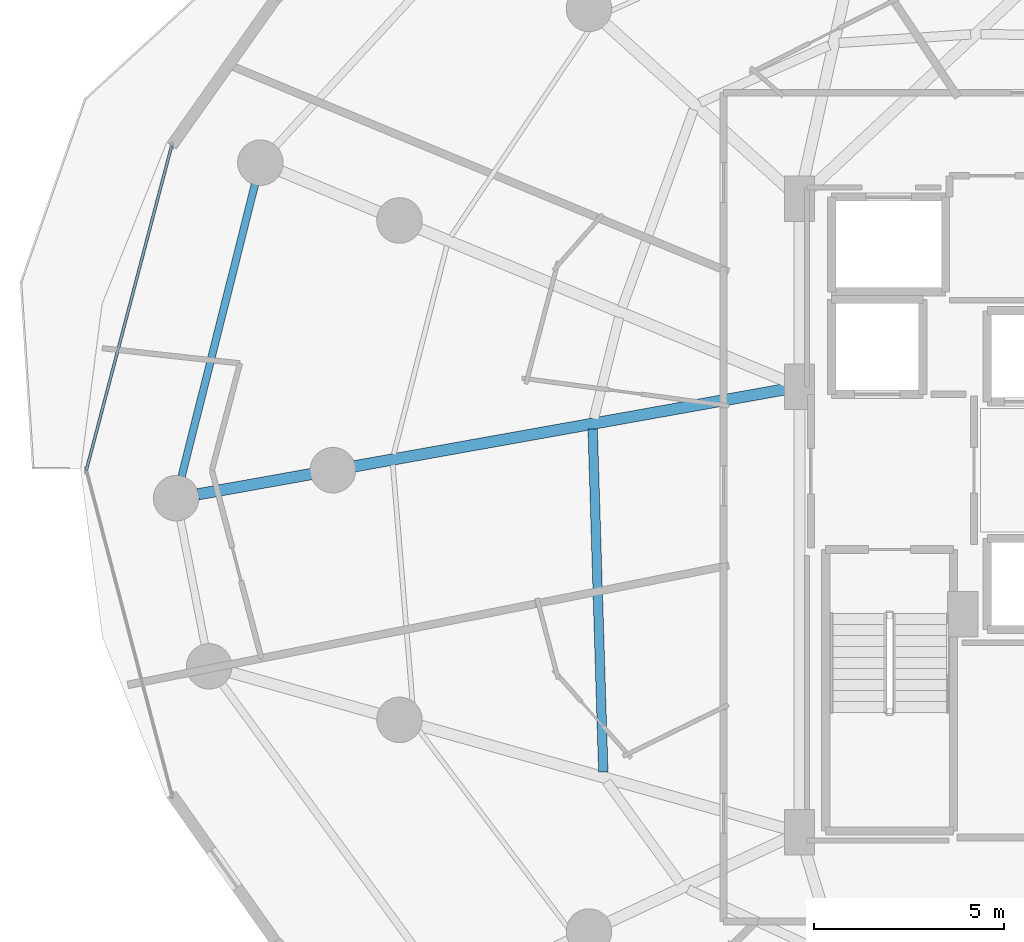
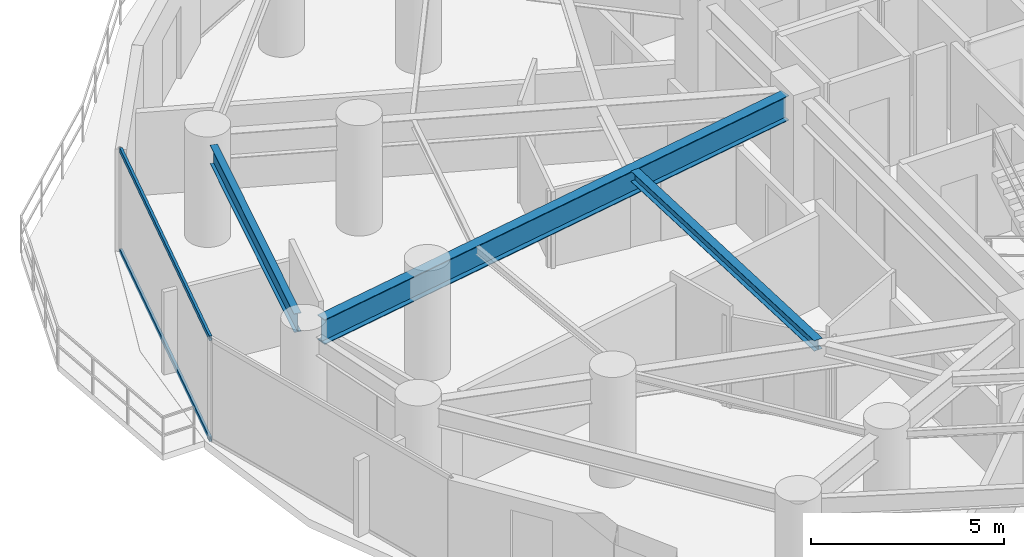
# One storey, part 9 of 35: 3 beams, 2 members, 1 element without a shape of its own.
"""IFC4 building model written with IfcOpenShell, lengths in metres."""

from ifc_helpers import new_model, si_unit, direction, frame, origin, origin_2d, place, context, subcontext, project, spatial, hollow_rectangle, i_section, extrude, material, material_profile, profile_set, type_object, element, aggregate, save


model = new_model("IFC4")

# Units and contexts
model_context = context("Model", 3, precision=1e-05, world=origin(), true_north=direction((0.0, 1.0)))
body_context = subcontext(model_context, "Body", "Model", "MODEL_VIEW")
ifc_project = project(units=[si_unit("LENGTHUNIT", "METRE"), si_unit("AREAUNIT", "SQUARE_METRE"), si_unit("VOLUMEUNIT", "CUBIC_METRE"), si_unit("PLANEANGLEUNIT", "RADIAN"), si_unit("MASSUNIT", "GRAM", prefix="KILO")], contexts=[model_context])

# Site, building, storey
site_placement = place(None, origin())
site = spatial("IfcSite", under=ifc_project, at=site_placement, CompositionType="ELEMENT")
building_placement = place(site_placement, origin())
building = spatial("IfcBuilding", under=site, at=building_placement, Name="Vorneva Point Tower", CompositionType="ELEMENT")
storey_placement = place(building_placement, frame((0.0, 0.0, 48.5)))
storey = spatial("IfcBuildingStorey", under=building, at=storey_placement, Name="L12", CompositionType="ELEMENT", Elevation=48.5)

# Beams
ifc_material_1 = material(Name="Steel S355", Category="steel")
ifc_material_profile_1 = material_profile(ifc_material_1, i_section(OverallWidth=0.300048828125, OverallDepth=0.7880859375, WebThickness=0.014404296875, FlangeThickness=0.02197265625, at=origin_2d()), Name="80Sh1")
ifc_profile_set_1 = profile_set([ifc_material_profile_1], Name="Steel S355")
beam_type_1 = type_object("IfcBeamType", Name="BM-GRD-80Sh1", PredefinedType="USERDEFINED", material=ifc_profile_set_1)
beam_1_placement = place(storey_placement, frame((11.396728515625, 25.364501953125, 2.845947265625), z_axis=(0.984378532035, 0.176065060895, 0.0), x_axis=(-0.176065060895, 0.984378532035, 0.0)))
element("IfcBeam", 1, at=beam_1_placement, inside=storey, type_object=beam_type_1, Name="L12 Radial Primary Girder 09", ObjectType="GIRDER", PredefinedType="USERDEFINED", context=body_context, shape_type="SweptSolid", body=[
    extrude(i_section(OverallWidth=0.300048828125, OverallDepth=0.7880859375, WebThickness=0.014404296875, FlangeThickness=0.02197265625, at=origin_2d()), origin(), (0.0, 0.0, 1.0), 15.764892578125),
])
ifc_material_profile_2 = material_profile(ifc_material_1, i_section(OverallWidth=0.2490234375, OverallDepth=0.333984375, WebThickness=0.008056640625, FlangeThickness=0.010986328125, at=origin_2d()), Name="35Sh1")
ifc_profile_set_2 = profile_set([ifc_material_profile_2], Name="Steel S355")
beam_type_2 = type_object("IfcBeamType", Name="BM-SEC-35Sh1", PredefinedType="BEAM", material=ifc_profile_set_2)
beam_2_placement = place(storey_placement, frame((21.79833984375, 27.086181640625, 3.072998046875), z_axis=(0.030894434664, -0.999522653023, 0.0), x_axis=(0.999522653023, 0.030894434664, 0.0)))
element("IfcBeam", 2, at=beam_2_placement, inside=storey, type_object=beam_type_2, Name="L12 Secondary Floor Beam 2.09", PredefinedType="BEAM", context=body_context, shape_type="SweptSolid", body=[
    extrude(i_section(OverallWidth=0.2490234375, OverallDepth=0.333984375, WebThickness=0.008056640625, FlangeThickness=0.010986328125, at=origin_2d()), origin(), (0.0, 0.0, 1.0), 9.04833984375),
])
ifc_material_profile_3 = material_profile(ifc_material_1, i_section(OverallWidth=0.198974609375, OverallDepth=0.595947265625, WebThickness=0.010009765625, FlangeThickness=0.014892578125, at=origin_2d()), Name="60B1")
ifc_profile_set_3 = profile_set([ifc_material_profile_3], Name="Steel S355")
beam_type_3 = type_object("IfcBeamType", Name="BM-SPN-60B1", PredefinedType="SPANDREL", material=ifc_profile_set_3)
beam_3_placement = place(storey_placement, frame((12.896484375, 33.5380859375, 2.94189453125), z_axis=(-0.243554441672, -0.969887227435, 0.0), x_axis=(0.969887227435, -0.243554441672, 0.0)))
element("IfcBeam", 3, at=beam_3_placement, inside=storey, type_object=beam_type_3, Name="L12 Perimeter Spandrel Ring Beam 08", PredefinedType="SPANDREL", context=body_context, shape_type="SweptSolid", body=[
    extrude(i_section(OverallWidth=0.198974609375, OverallDepth=0.595947265625, WebThickness=0.010009765625, FlangeThickness=0.014892578125, at=origin_2d()), origin(), (0.0, 0.0, 1.0), 7.948974609375),
])

# Curtain wall, members
ifc_material_2 = material(Name="Pale anodised aluminium", Category="aluminium")
curtain_wall_type = type_object("IfcCurtainWallType", Name="CW-HTL-SYS", PredefinedType="NOTDEFINED", material=ifc_material_2)
curtain_wall_placement = place(storey_placement, origin())
curtain_wall = element("IfcCurtainWall", 4, at=curtain_wall_placement, inside=storey, type_object=curtain_wall_type, Name="L12 Unitised Curtain Wall CW-L12-R03", PredefinedType="NOTDEFINED")
ifc_material_profile_4 = material_profile(ifc_material_2, hollow_rectangle(XDim=0.074951171875, YDim=0.14990234375, WallThickness=0.00390625, at=origin_2d()), Name="AL-TRN 150x75x4")
ifc_profile_set_4 = profile_set([ifc_material_profile_4], Name="Pale anodised aluminium")
member_type = type_object("IfcMemberType", Name="CW-TRN-150", PredefinedType="USERDEFINED", material=ifc_profile_set_4)
member_1_placement = place(storey_placement, frame((10.699462890625, 34.552978515625, 0.02001953125), z_axis=(-0.254358772746, -0.967109928978, 0.0), x_axis=(0.967109928978, -0.254358772746, 0.0)))
member_1 = element("IfcMember", 5, at=member_1_placement, type_object=member_type, Name="CW-L12-R03 Transom 01.1", ObjectType="TRANSOM", PredefinedType="USERDEFINED", context=body_context, shape_type="SweptSolid", body=[
    extrude(hollow_rectangle(XDim=0.074951171875, YDim=0.14990234375, WallThickness=0.00390625, at=origin_2d()), origin(), (0.0, 0.0, 1.0), 8.84375),
])
member_2_placement = place(storey_placement, frame((10.699462890625, 34.552978515625, 3.219970703125), z_axis=(-0.254358772746, -0.967109928978, 0.0), x_axis=(0.967109928978, -0.254358772746, 0.0)))
member_2 = element("IfcMember", 6, at=member_2_placement, type_object=member_type, Name="CW-L12-R03 Transom 01.2", ObjectType="TRANSOM", PredefinedType="USERDEFINED", context=body_context, shape_type="SweptSolid", body=[
    extrude(hollow_rectangle(XDim=0.074951171875, YDim=0.14990234375, WallThickness=0.00390625, at=origin_2d()), origin(), (0.0, 0.0, 1.0), 8.84375),
])
aggregate(curtain_wall, [member_1, member_2])

save(model, "model.ifc")
